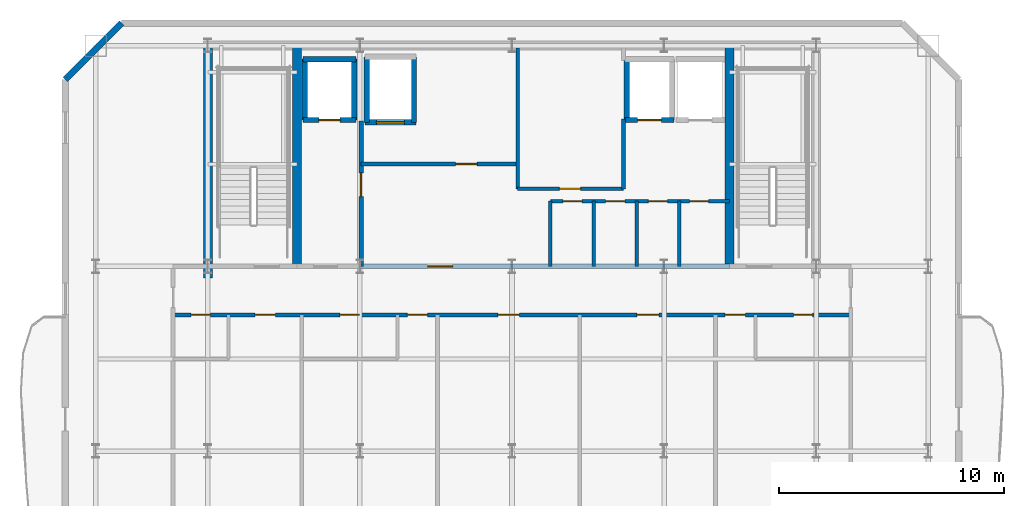
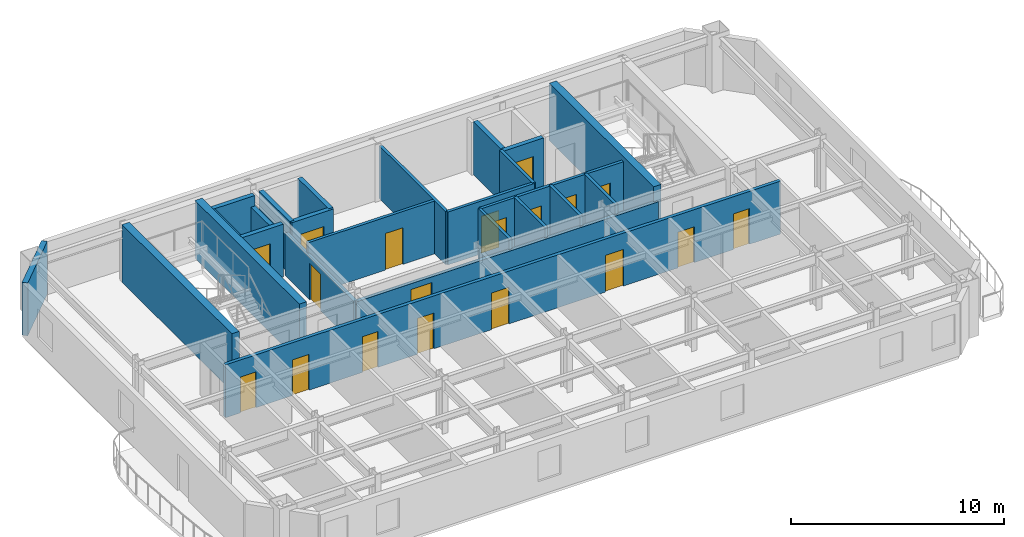
# One storey, part 3 of 6: 25 walls, 19 doors, 19 openings.
"""IFC4 building model written with IfcOpenShell, lengths in metres."""

from ifc_helpers import new_model, si_unit, direction, frame, frame_2d, origin, place, context, subcontext, project, spatial, rectangle, extrude, material, layer, layer_set, type_object, element, fill, save


model = new_model("IFC4")

# Units and contexts
model_context = context("Model", 3, precision=1e-05, world=origin(), true_north=direction((0.0, 1.0)))
body_context = subcontext(model_context, "Body", "Model", "MODEL_VIEW")
ifc_project = project(units=[si_unit("LENGTHUNIT", "METRE"), si_unit("AREAUNIT", "SQUARE_METRE"), si_unit("VOLUMEUNIT", "CUBIC_METRE"), si_unit("PLANEANGLEUNIT", "RADIAN"), si_unit("MASSUNIT", "GRAM", prefix="KILO")], contexts=[model_context])

# Site, building, storey
site_placement = place(None, origin())
site = spatial("IfcSite", under=ifc_project, at=site_placement, CompositionType="ELEMENT")
building_placement = place(site_placement, origin())
building = spatial("IfcBuilding", under=site, at=building_placement, Name="Haevon Station Towers", CompositionType="ELEMENT")
storey_placement = place(building_placement, frame((0.0, 0.0, 242.699951171875)))
storey = spatial("IfcBuildingStorey", under=building, at=storey_placement, Name="L67", CompositionType="ELEMENT", Elevation=242.699951171875)

# Wall, openings, doors
ifc_material_1 = material(Name="Gypsum board on steel stud", Category="steel")
ifc_layer_1 = layer(ifc_material_1, 0.179931640625)
ifc_layer_set_1 = layer_set([ifc_layer_1], Name="Gypsum board on steel stud")
wall_type_1 = type_object("IfcWallType", Name="WL-ACU180", PredefinedType="PARTITIONING", material=ifc_layer_set_1)
wall_1_placement = place(storey_placement, frame((22.4619140625, 36.050048828125, 0.0), z_axis=(0.0, 0.0, 1.0), x_axis=(1.0, 0.0, 0.0)))
wall_1 = element("IfcWall", 1, at=wall_1_placement, inside=storey, type_object=wall_type_1, Name="WL-T1PT-L67-15", PredefinedType="PARTITIONING", context=body_context, shape_type="SweptSolid", body=[
    extrude(rectangle(XDim=30.076171875, YDim=0.179931640625, at=frame_2d((15.0380859375, 0.0))), origin(), (0.0, 0.0, 1.0), 3.030029296875),
])
opening_1_placement = place(wall_1_placement, frame((0.800048828125, 0.0, 0.0)))
opening_1 = element("IfcOpeningElement", 2, at=opening_1_placement, cuts=wall_1, Name="Opening DR-WL-T1PT-L67-15-01", PredefinedType="OPENING", context=body_context, shape_type="SweptSolid", body=[
    extrude(rectangle(XDim=0.85009765625, YDim=2.050048828125, at=frame_2d((0.425048828125, 1.02490234375))), frame((0.0, 0.099853515625, 0.0), z_axis=(0.0, -1.0, 0.0), x_axis=(1.0, 0.0, 0.0)), (0.0, 0.0, 1.0), 0.199951171875),
])
opening_2_placement = place(wall_1_placement, frame((3.632080078125, 0.0, 0.0)))
opening_2 = element("IfcOpeningElement", 3, at=opening_2_placement, cuts=wall_1, Name="Opening DR-WL-T1PT-L67-15-02", PredefinedType="OPENING", context=body_context, shape_type="SweptSolid", body=[
    extrude(rectangle(XDim=0.89990234375, YDim=2.050048828125, at=frame_2d((0.449951171875, 1.02490234375))), frame((0.0, 0.099853515625, 0.0), z_axis=(0.0, -1.0, 0.0), x_axis=(1.0, 0.0, 0.0)), (0.0, 0.0, 1.0), 0.199951171875),
])
opening_3_placement = place(wall_1_placement, frame((7.406982421875, 0.0, 0.0)))
opening_3 = element("IfcOpeningElement", 4, at=opening_3_placement, cuts=wall_1, Name="Opening DR-WL-T1PT-L67-15-03", PredefinedType="OPENING", context=body_context, shape_type="SweptSolid", body=[
    extrude(rectangle(XDim=0.85009765625, YDim=2.050048828125, at=frame_2d((0.425048828125, 1.02490234375))), frame((0.0, 0.099853515625, 0.0), z_axis=(0.0, -1.0, 0.0), x_axis=(1.0, 0.0, 0.0)), (0.0, 0.0, 1.0), 0.199951171875),
])
opening_4_placement = place(wall_1_placement, frame((10.389892578125, 0.0, 0.0)))
opening_4 = element("IfcOpeningElement", 5, at=opening_4_placement, cuts=wall_1, Name="Opening DR-WL-T1PT-L67-15-04", PredefinedType="OPENING", context=body_context, shape_type="SweptSolid", body=[
    extrude(rectangle(XDim=0.89990234375, YDim=2.050048828125, at=frame_2d((0.449951171875, 1.02490234375))), frame((0.0, 0.099853515625, 0.0), z_axis=(0.0, -1.0, 0.0), x_axis=(1.0, 0.0, 0.0)), (0.0, 0.0, 1.0), 0.199951171875),
])
opening_5_placement = place(wall_1_placement, frame((14.4130859375, 0.0, 0.0)))
opening_5 = element("IfcOpeningElement", 6, at=opening_5_placement, cuts=wall_1, Name="Opening DR-WL-T1PT-L67-15-05", PredefinedType="OPENING", context=body_context, shape_type="SweptSolid", body=[
    extrude(rectangle(XDim=0.949951171875, YDim=2.10009765625, at=frame_2d((0.47509765625, 1.050048828125))), frame((0.0, 0.099853515625, 0.0), z_axis=(0.0, -1.0, 0.0), x_axis=(1.0, 0.0, 0.0)), (0.0, 0.0, 1.0), 0.199951171875),
])
opening_6_placement = place(wall_1_placement, frame((20.577880859375, 0.0, 0.0)))
opening_6 = element("IfcOpeningElement", 7, at=opening_6_placement, cuts=wall_1, Name="Opening DR-WL-T1PT-L67-15-06", PredefinedType="OPENING", context=body_context, shape_type="SweptSolid", body=[
    extrude(rectangle(XDim=0.97998046875, YDim=2.10009765625, at=frame_2d((0.489990234375, 1.050048828125))), frame((0.0, 0.099853515625, 0.0), z_axis=(0.0, -1.0, 0.0), x_axis=(1.0, 0.0, 0.0)), (0.0, 0.0, 1.0), 0.199951171875),
])
opening_7_placement = place(wall_1_placement, frame((27.532958984375, 0.0, 0.0)))
opening_7 = element("IfcOpeningElement", 8, at=opening_7_placement, cuts=wall_1, Name="Opening DR-WL-T1PT-L67-15-07", PredefinedType="OPENING", context=body_context, shape_type="SweptSolid", body=[
    extrude(rectangle(XDim=0.85009765625, YDim=2.050048828125, at=frame_2d((0.425048828125, 1.02490234375))), frame((0.0, 0.099853515625, 0.0), z_axis=(0.0, -1.0, 0.0), x_axis=(1.0, 0.0, 0.0)), (0.0, 0.0, 1.0), 0.199951171875),
])
opening_8_placement = place(wall_1_placement, frame((24.5009765625, 0.0, 0.0)))
opening_8 = element("IfcOpeningElement", 9, at=opening_8_placement, cuts=wall_1, Name="Opening DR-WL-T1PT-L67-15-08", PredefinedType="OPENING", context=body_context, shape_type="SweptSolid", body=[
    extrude(rectangle(XDim=0.89990234375, YDim=2.050048828125, at=frame_2d((0.449951171875, 1.02490234375))), frame((0.0, 0.099853515625, 0.0), z_axis=(0.0, -1.0, 0.0), x_axis=(1.0, 0.0, 0.0)), (0.0, 0.0, 1.0), 0.199951171875),
])
ifc_material_2 = material(Name="Engineered oak timber", Category="wood")
door_type_1 = type_object("IfcDoorType", Name="DR-FD30-850", OperationType="NOTDEFINED", PredefinedType="DOOR", material=ifc_material_2)
door_1_placement = place(opening_1_placement, origin())
door_1 = element("IfcDoor", 10, at=door_1_placement, inside=storey, type_object=door_type_1, Name="L67 Tower 1 Room Door 15-1", OperationType="SINGLE_SWING_RIGHT", OverallHeight=2.050048828125, OverallWidth=0.85009765625, PredefinedType="DOOR", context=body_context, shape_type="SweptSolid", body=[
    extrude(rectangle(XDim=0.85009765625, YDim=2.050048828125, at=frame_2d((0.425048828125, 1.02490234375))), frame((0.0, 0.02490234375, 0.0), z_axis=(0.0, -1.0, 0.0), x_axis=(1.0, 0.0, 0.0)), (0.0, 0.0, 1.0), 0.050048828125),
])
fill(opening_1, door_1)
door_2_placement = place(opening_3_placement, origin())
door_2 = element("IfcDoor", 11, at=door_2_placement, inside=storey, type_object=door_type_1, Name="L67 Tower 1 Room Door 15-3", OperationType="SINGLE_SWING_RIGHT", OverallHeight=2.050048828125, OverallWidth=0.85009765625, PredefinedType="DOOR", context=body_context, shape_type="SweptSolid", body=[
    extrude(rectangle(XDim=0.85009765625, YDim=2.050048828125, at=frame_2d((0.425048828125, 1.02490234375))), frame((0.0, 0.02490234375, 0.0), z_axis=(0.0, -1.0, 0.0), x_axis=(1.0, 0.0, 0.0)), (0.0, 0.0, 1.0), 0.050048828125),
])
fill(opening_3, door_2)
door_3_placement = place(opening_7_placement, origin())
door_3 = element("IfcDoor", 12, at=door_3_placement, inside=storey, type_object=door_type_1, Name="L67 Tower 1 Room Door 15-7", OperationType="SINGLE_SWING_RIGHT", OverallHeight=2.050048828125, OverallWidth=0.85009765625, PredefinedType="DOOR", context=body_context, shape_type="SweptSolid", body=[
    extrude(rectangle(XDim=0.85009765625, YDim=2.050048828125, at=frame_2d((0.425048828125, 1.02490234375))), frame((0.0, 0.02490234375, 0.0), z_axis=(0.0, -1.0, 0.0), x_axis=(1.0, 0.0, 0.0)), (0.0, 0.0, 1.0), 0.050048828125),
])
fill(opening_7, door_3)
door_type_2 = type_object("IfcDoorType", Name="DR-FD30-950", OperationType="NOTDEFINED", PredefinedType="DOOR", material=ifc_material_2)
door_4_placement = place(opening_5_placement, origin())
door_4 = element("IfcDoor", 13, at=door_4_placement, inside=storey, type_object=door_type_2, Name="L67 Tower 1 Room Door 15-5", OperationType="SINGLE_SWING_RIGHT", OverallHeight=2.10009765625, OverallWidth=0.949951171875, PredefinedType="DOOR", context=body_context, shape_type="SweptSolid", body=[
    extrude(rectangle(XDim=0.949951171875, YDim=2.10009765625, at=frame_2d((0.47509765625, 1.050048828125))), frame((0.0, 0.02490234375, 0.0), z_axis=(0.0, -1.0, 0.0), x_axis=(1.0, 0.0, 0.0)), (0.0, 0.0, 1.0), 0.050048828125),
])
fill(opening_5, door_4)
door_type_3 = type_object("IfcDoorType", Name="DR-FD30-980", OperationType="NOTDEFINED", PredefinedType="DOOR", material=ifc_material_2)
door_5_placement = place(opening_6_placement, origin())
door_5 = element("IfcDoor", 14, at=door_5_placement, inside=storey, type_object=door_type_3, Name="L67 Tower 1 Room Door 15-6", OperationType="SINGLE_SWING_LEFT", OverallHeight=2.10009765625, OverallWidth=0.97998046875, PredefinedType="DOOR", context=body_context, shape_type="SweptSolid", body=[
    extrude(rectangle(XDim=0.97998046875, YDim=2.10009765625, at=frame_2d((0.489990234375, 1.050048828125))), frame((0.0, 0.02490234375, 0.0), z_axis=(0.0, -1.0, 0.0), x_axis=(1.0, 0.0, 0.0)), (0.0, 0.0, 1.0), 0.050048828125),
])
fill(opening_6, door_5)
door_type_4 = type_object("IfcDoorType", Name="DR-INT-900", OperationType="NOTDEFINED", PredefinedType="DOOR", material=ifc_material_2)
door_6_placement = place(opening_2_placement, origin())
door_6 = element("IfcDoor", 15, at=door_6_placement, inside=storey, type_object=door_type_4, Name="L67 Tower 1 Room Door 15-2", OperationType="SINGLE_SWING_LEFT", OverallHeight=2.050048828125, OverallWidth=0.89990234375, PredefinedType="DOOR", context=body_context, shape_type="SweptSolid", body=[
    extrude(rectangle(XDim=0.89990234375, YDim=2.050048828125, at=frame_2d((0.449951171875, 1.02490234375))), frame((0.0, 0.02490234375, 0.0), z_axis=(0.0, -1.0, 0.0), x_axis=(1.0, 0.0, 0.0)), (0.0, 0.0, 1.0), 0.050048828125),
])
fill(opening_2, door_6)
door_7_placement = place(opening_4_placement, origin())
door_7 = element("IfcDoor", 16, at=door_7_placement, inside=storey, type_object=door_type_4, Name="L67 Tower 1 Room Door 15-4", OperationType="SINGLE_SWING_LEFT", OverallHeight=2.050048828125, OverallWidth=0.89990234375, PredefinedType="DOOR", context=body_context, shape_type="SweptSolid", body=[
    extrude(rectangle(XDim=0.89990234375, YDim=2.050048828125, at=frame_2d((0.449951171875, 1.02490234375))), frame((0.0, 0.02490234375, 0.0), z_axis=(0.0, -1.0, 0.0), x_axis=(1.0, 0.0, 0.0)), (0.0, 0.0, 1.0), 0.050048828125),
])
fill(opening_4, door_7)
door_8_placement = place(opening_8_placement, origin())
door_8 = element("IfcDoor", 17, at=door_8_placement, inside=storey, type_object=door_type_4, Name="L67 Tower 1 Room Door 15-8", OperationType="SINGLE_SWING_LEFT", OverallHeight=2.050048828125, OverallWidth=0.89990234375, PredefinedType="DOOR", context=body_context, shape_type="SweptSolid", body=[
    extrude(rectangle(XDim=0.89990234375, YDim=2.050048828125, at=frame_2d((0.449951171875, 1.02490234375))), frame((0.0, 0.02490234375, 0.0), z_axis=(0.0, -1.0, 0.0), x_axis=(1.0, 0.0, 0.0)), (0.0, 0.0, 1.0), 0.050048828125),
])
fill(opening_8, door_8)

# Wall, opening, door
ifc_layer_2 = layer(ifc_material_1, 0.199951171875)
ifc_layer_set_2 = layer_set([ifc_layer_2], Name="Gypsum board on steel stud")
wall_type_2 = type_object("IfcWallType", Name="WL-COR200", PredefinedType="PARTITIONING", material=ifc_layer_set_2)
wall_2_placement = place(storey_placement, frame((30.800048828125, 38.199951171875, 0.0), z_axis=(0.0, 0.0, 1.0), x_axis=(0.0, 1.0, 0.0)))
wall_2 = element("IfcWall", 18, at=wall_2_placement, inside=storey, type_object=wall_type_2, Name="WL-T1FFL-L67-E", PredefinedType="PARTITIONING", context=body_context, shape_type="SweptSolid", body=[
    extrude(rectangle(XDim=6.449951171875, YDim=0.199951171875, at=frame_2d((3.22509765625, 0.0))), origin(), (0.0, 0.0, 1.0), 2.429931640625),
])
opening_9_placement = place(wall_2_placement, frame((3.10009765625, 0.0, 0.0)))
opening_9 = element("IfcOpeningElement", 19, at=opening_9_placement, cuts=wall_2, Name="Opening DR-T1FFL-L67-E", PredefinedType="OPENING", context=body_context, shape_type="SweptSolid", body=[
    extrude(rectangle(XDim=1.050048828125, YDim=2.10009765625, at=frame_2d((0.52490234375, 1.050048828125))), frame((0.0, 0.10986328125, 0.0), z_axis=(0.0, -1.0, 0.0), x_axis=(1.0, 0.0, 0.0)), (0.0, 0.0, 1.0), 0.219970703125),
])
door_type_5 = type_object("IfcDoorType", Name="DR-FD60-1050", OperationType="NOTDEFINED", PredefinedType="DOOR", material=ifc_material_2)
door_9_placement = place(opening_9_placement, origin())
door_9 = element("IfcDoor", 20, at=door_9_placement, inside=storey, type_object=door_type_5, Name="L67 Tower 1 Firefighting Lift Lobby Door E", OperationType="SINGLE_SWING_RIGHT", OverallHeight=2.10009765625, OverallWidth=1.050048828125, PredefinedType="DOOR", context=body_context, shape_type="SweptSolid", body=[
    extrude(rectangle(XDim=1.050048828125, YDim=2.10009765625, at=frame_2d((0.52490234375, 1.050048828125))), frame((0.0, 0.02490234375, 0.0), z_axis=(0.0, -1.0, 0.0), x_axis=(1.0, 0.0, 0.0)), (0.0, 0.0, 1.0), 0.050048828125),
])
fill(opening_9, door_9)

wall_3_placement = place(storey_placement, frame((30.800048828125, 38.199951171875, 0.0), z_axis=(0.0, 0.0, 1.0), x_axis=(1.0, 0.0, 0.0)))
wall_3 = element("IfcWall", 21, at=wall_3_placement, inside=storey, type_object=wall_type_2, Name="WL-T1CLB-L67", PredefinedType="PARTITIONING", context=body_context, shape_type="SweptSolid", body=[
    extrude(rectangle(XDim=16.349853515625, YDim=0.199951171875, at=frame_2d((8.1748046875, 0.0))), origin(), (0.0, 0.0, 1.0), 2.429931640625),
])
opening_10_placement = place(wall_3_placement, frame((2.949951171875, 0.0, 0.0)))
opening_10 = element("IfcOpeningElement", 22, at=opening_10_placement, cuts=wall_3, Name="Opening DR-T1CLB-L67-1", PredefinedType="OPENING", context=body_context, shape_type="SweptSolid", body=[
    extrude(rectangle(XDim=1.1201171875, YDim=2.10009765625, at=frame_2d((0.56005859375, 1.050048828125))), frame((0.0, 0.10986328125, 0.0), z_axis=(0.0, -1.0, 0.0), x_axis=(1.0, 0.0, 0.0)), (0.0, 0.0, 1.0), 0.219970703125),
])
door_type_6 = type_object("IfcDoorType", Name="DR-ST-1120", OperationType="NOTDEFINED", PredefinedType="DOOR", material=ifc_material_2)
door_10_placement = place(opening_10_placement, origin())
door_10 = element("IfcDoor", 23, at=door_10_placement, inside=storey, type_object=door_type_6, Name="L67 Tower 1 Core Lift Lobby Door 1", OperationType="SINGLE_SWING_RIGHT", OverallHeight=2.10009765625, OverallWidth=1.1201171875, PredefinedType="DOOR", context=body_context, shape_type="SweptSolid", body=[
    extrude(rectangle(XDim=1.1201171875, YDim=2.10009765625, at=frame_2d((0.56005859375, 1.050048828125))), frame((0.0, 0.02490234375, 0.0), z_axis=(0.0, -1.0, 0.0), x_axis=(1.0, 0.0, 0.0)), (0.0, 0.0, 1.0), 0.050048828125),
])
fill(opening_10, door_10)

# Walls
ifc_material_3 = material(Name="Concrete C60/75", Category="concrete")
ifc_layer_3 = layer(ifc_material_3, 0.39990234375)
ifc_layer_set_3 = layer_set([ifc_layer_3], Name="Concrete C60/75")
wall_type_3 = type_object("IfcWallType", Name="WL-CR400", PredefinedType="SHEAR", material=ifc_layer_set_3)
wall_4_placement = place(storey_placement, frame((24.0, 37.679931640625, 0.0), z_axis=(0.0, 0.0, 1.0), x_axis=(0.0, 1.0, 0.0)))
element("IfcWall", 24, at=wall_4_placement, inside=storey, type_object=wall_type_3, Name="WL-T1CR-L67-W", PredefinedType="SHEAR", context=body_context, shape_type="SweptSolid", body=[
    extrude(rectangle(XDim=10.320068359375, YDim=0.39990234375, at=frame_2d((5.16015625, 0.0))), origin(), (0.0, 0.0, 1.0), 3.300048828125),
])
for number, where, z_axis, x_axis, name in (
    (25, (27.949951171875, 38.199951171875, 0.0), (0.0, 0.0, 1.0), (0.0, 1.0, 0.0), "WL-T1CR-L67-M1"),
    (26, (47.14990234375, 38.199951171875, 0.0), (0.0, 0.0, 1.0), (0.0, 1.0, 0.0), "WL-T1CR-L67-M2"),
):
    element("IfcWall", number, at=place(storey_placement, frame(where, z_axis=z_axis, x_axis=x_axis)), inside=storey, type_object=wall_type_3, Name=name, PredefinedType="SHEAR", context=body_context, shape_type="SweptSolid", body=[
        extrude(rectangle(XDim=9.800048828125, YDim=0.39990234375, at=frame_2d((4.89990234375, 0.0))), origin(), (0.0, 0.0, 1.0), 3.300048828125),
    ])
ifc_material_4 = material(Name="Precast concrete C45/55", Category="concrete")
ifc_layer_4 = layer(ifc_material_4, 0.280029296875)
ifc_layer_set_4 = layer_set([ifc_layer_4], Name="Precast concrete C45/55")
wall_type_4 = type_object("IfcWallType", Name="WL-EXT-PIER280", PredefinedType="SOLIDWALL", material=ifc_layer_set_4)
wall_5_placement = place(storey_placement, frame((17.675048828125, 46.5, 0.0), z_axis=(0.0, 0.0, 1.0), x_axis=(0.707106781187, 0.707106781187, 0.0)))
element("IfcWall", 27, at=wall_5_placement, inside=storey, type_object=wall_type_4, Name="WL-T1-L67-NWC", PredefinedType="SOLIDWALL", context=body_context, shape_type="SweptSolid", body=[
    extrude(rectangle(XDim=3.53564453125, YDim=0.280029296875, at=frame_2d((1.767822265625, 0.0))), origin(), (0.0, 0.0, 1.0), 3.030029296875),
])

# Wall, opening, door
ifc_layer_5 = layer(ifc_material_1, 0.159912109375)
ifc_layer_set_5 = layer_set([ifc_layer_5], Name="Gypsum board on steel stud")
wall_type_5 = type_object("IfcWallType", Name="WL-PRT160", PredefinedType="PARTITIONING", material=ifc_layer_set_5)
wall_6_placement = place(storey_placement, frame((30.800048828125, 42.75, 0.0), z_axis=(0.0, 0.0, 1.0), x_axis=(1.0, 0.0, 0.0)))
wall_6 = element("IfcWall", 28, at=wall_6_placement, inside=storey, type_object=wall_type_5, Name="WL-T1CW-L67-01", PredefinedType="PARTITIONING", context=body_context, shape_type="SweptSolid", body=[
    extrude(rectangle(XDim=6.949951171875, YDim=0.159912109375, at=frame_2d((3.47509765625, 0.0))), origin(), (0.0, 0.0, 1.0), 3.030029296875),
])
opening_11_placement = place(wall_6_placement, frame((4.199951171875, 0.0, 0.0)))
opening_11 = element("IfcOpeningElement", 29, at=opening_11_placement, cuts=wall_6, Name="Opening DR-WL-T1CW-L67-01-1", PredefinedType="OPENING", context=body_context, shape_type="SweptSolid", body=[
    extrude(rectangle(XDim=0.949951171875, YDim=2.10009765625, at=frame_2d((0.47509765625, 1.050048828125))), frame((0.0, 0.08984375, 0.0), z_axis=(0.0, -1.0, 0.0), x_axis=(1.0, 0.0, 0.0)), (0.0, 0.0, 1.0), 0.179931640625),
])
door_type_7 = type_object("IfcDoorType", Name="DR-FD60-950", OperationType="NOTDEFINED", PredefinedType="DOOR", material=ifc_material_2)
door_11_placement = place(opening_11_placement, origin())
door_11 = element("IfcDoor", 30, at=door_11_placement, inside=storey, type_object=door_type_7, Name="L67 Tower 1 Core Room Door 1-1", OperationType="SINGLE_SWING_RIGHT", OverallHeight=2.10009765625, OverallWidth=0.949951171875, PredefinedType="DOOR", context=body_context, shape_type="SweptSolid", body=[
    extrude(rectangle(XDim=0.949951171875, YDim=2.10009765625, at=frame_2d((0.47509765625, 1.050048828125))), frame((0.0, 0.02490234375, 0.0), z_axis=(0.0, -1.0, 0.0), x_axis=(1.0, 0.0, 0.0)), (0.0, 0.0, 1.0), 0.050048828125),
])
fill(opening_11, door_11)

# Wall
wall_7_placement = place(storey_placement, frame((37.75, 41.64990234375, 0.0), z_axis=(0.0, 0.0, 1.0), x_axis=(0.0, 1.0, 0.0)))
element("IfcWall", 31, at=wall_7_placement, inside=storey, type_object=wall_type_5, Name="WL-T1CW-L67-02", PredefinedType="PARTITIONING", context=body_context, shape_type="SweptSolid", body=[
    extrude(rectangle(XDim=6.25, YDim=0.159912109375, at=frame_2d((3.125, 0.0))), origin(), (0.0, 0.0, 1.0), 3.030029296875),
])

# Wall, opening, door
wall_8_placement = place(storey_placement, frame((37.75, 41.64990234375, 0.0), z_axis=(0.0, 0.0, 1.0), x_axis=(1.0, 0.0, 0.0)))
wall_8 = element("IfcWall", 32, at=wall_8_placement, inside=storey, type_object=wall_type_5, Name="WL-T1CW-L67-03", PredefinedType="PARTITIONING", context=body_context, shape_type="SweptSolid", body=[
    extrude(rectangle(XDim=4.699951171875, YDim=0.159912109375, at=frame_2d((2.35009765625, 0.0))), origin(), (0.0, 0.0, 1.0), 3.030029296875),
])
opening_12_placement = place(wall_8_placement, frame((1.85009765625, 0.0, 0.0)))
opening_12 = element("IfcOpeningElement", 33, at=opening_12_placement, cuts=wall_8, Name="Opening DR-WL-T1CW-L67-03-1", PredefinedType="OPENING", context=body_context, shape_type="SweptSolid", body=[
    extrude(rectangle(XDim=0.949951171875, YDim=2.10009765625, at=frame_2d((0.47509765625, 1.050048828125))), frame((0.0, 0.08984375, 0.0), z_axis=(0.0, -1.0, 0.0), x_axis=(1.0, 0.0, 0.0)), (0.0, 0.0, 1.0), 0.179931640625),
])
door_12_placement = place(opening_12_placement, origin())
door_12 = element("IfcDoor", 34, at=door_12_placement, inside=storey, type_object=door_type_7, Name="L67 Tower 1 Core Room Door 3-1", OperationType="SINGLE_SWING_LEFT", OverallHeight=2.10009765625, OverallWidth=0.949951171875, PredefinedType="DOOR", context=body_context, shape_type="SweptSolid", body=[
    extrude(rectangle(XDim=0.949951171875, YDim=2.10009765625, at=frame_2d((0.47509765625, 1.050048828125))), frame((0.0, 0.02490234375, 0.0), z_axis=(0.0, -1.0, 0.0), x_axis=(1.0, 0.0, 0.0)), (0.0, 0.0, 1.0), 0.050048828125),
])
fill(opening_12, door_12)

# Walls
wall_9_placement = place(storey_placement, frame((42.449951171875, 41.64990234375, 0.0), z_axis=(0.0, 0.0, 1.0), x_axis=(0.0, 1.0, 0.0)))
element("IfcWall", 35, at=wall_9_placement, inside=storey, type_object=wall_type_5, Name="WL-T1CW-L67-04", PredefinedType="PARTITIONING", context=body_context, shape_type="SweptSolid", body=[
    extrude(rectangle(XDim=3.10009765625, YDim=0.159912109375, at=frame_2d((1.550048828125, 0.0))), origin(), (0.0, 0.0, 1.0), 3.030029296875),
])
for number, where, z_axis, x_axis, name in (
    (36, (39.199951171875, 38.199951171875, 0.0), (0.0, 0.0, 1.0), (0.0, 1.0, 0.0), "WL-T1CW-L67-06"),
    (37, (41.1298828125, 38.199951171875, 0.0), (0.0, 0.0, 1.0), (0.0, 1.0, 0.0), "WL-T1CW-L67-07"),
    (38, (43.030029296875, 38.199951171875, 0.0), (0.0, 0.0, 1.0), (0.0, 1.0, 0.0), "WL-T1CW-L67-08"),
    (39, (44.929931640625, 38.199951171875, 0.0), (0.0, 0.0, 1.0), (0.0, 1.0, 0.0), "WL-T1CW-L67-09"),
):
    element("IfcWall", number, at=place(storey_placement, frame(where, z_axis=z_axis, x_axis=x_axis)), inside=storey, type_object=wall_type_5, Name=name, PredefinedType="PARTITIONING", context=body_context, shape_type="SweptSolid", body=[
        extrude(rectangle(XDim=2.900146484375, YDim=0.159912109375, at=frame_2d((1.4501953125, 0.0))), origin(), (0.0, 0.0, 1.0), 3.030029296875),
    ])

# Wall, openings, doors
wall_10_placement = place(storey_placement, frame((39.199951171875, 41.10009765625, 0.0), z_axis=(0.0, 0.0, 1.0), x_axis=(1.0, 0.0, 0.0)))
wall_10 = element("IfcWall", 40, at=wall_10_placement, inside=storey, type_object=wall_type_5, Name="WL-T1CW-L67-10", PredefinedType="PARTITIONING", context=body_context, shape_type="SweptSolid", body=[
    extrude(rectangle(XDim=7.949951171875, YDim=0.159912109375, at=frame_2d((3.97509765625, 0.0))), origin(), (0.0, 0.0, 1.0), 3.030029296875),
])
opening_13_placement = place(wall_10_placement, frame((0.56005859375, 0.0, 0.0)))
opening_13 = element("IfcOpeningElement", 41, at=opening_13_placement, cuts=wall_10, Name="Opening DR-WL-T1CW-L67-10-1", PredefinedType="OPENING", context=body_context, shape_type="SweptSolid", body=[
    extrude(rectangle(XDim=0.85009765625, YDim=2.050048828125, at=frame_2d((0.425048828125, 1.02490234375))), frame((0.0, 0.08984375, 0.0), z_axis=(0.0, -1.0, 0.0), x_axis=(1.0, 0.0, 0.0)), (0.0, 0.0, 1.0), 0.179931640625),
])
opening_14_placement = place(wall_10_placement, frame((2.455078125, 0.0, 0.0)))
opening_14 = element("IfcOpeningElement", 42, at=opening_14_placement, cuts=wall_10, Name="Opening DR-WL-T1CW-L67-10-2", PredefinedType="OPENING", context=body_context, shape_type="SweptSolid", body=[
    extrude(rectangle(XDim=0.85009765625, YDim=2.050048828125, at=frame_2d((0.425048828125, 1.02490234375))), frame((0.0, 0.08984375, 0.0), z_axis=(0.0, -1.0, 0.0), x_axis=(1.0, 0.0, 0.0)), (0.0, 0.0, 1.0), 0.179931640625),
])
opening_15_placement = place(wall_10_placement, frame((4.35498046875, 0.0, 0.0)))
opening_15 = element("IfcOpeningElement", 43, at=opening_15_placement, cuts=wall_10, Name="Opening DR-WL-T1CW-L67-10-3", PredefinedType="OPENING", context=body_context, shape_type="SweptSolid", body=[
    extrude(rectangle(XDim=0.85009765625, YDim=2.050048828125, at=frame_2d((0.425048828125, 1.02490234375))), frame((0.0, 0.08984375, 0.0), z_axis=(0.0, -1.0, 0.0), x_axis=(1.0, 0.0, 0.0)), (0.0, 0.0, 1.0), 0.179931640625),
])
opening_16_placement = place(wall_10_placement, frame((6.179931640625, 0.0, 0.0)))
opening_16 = element("IfcOpeningElement", 44, at=opening_16_placement, cuts=wall_10, Name="Opening DR-WL-T1CW-L67-10-4", PredefinedType="OPENING", context=body_context, shape_type="SweptSolid", body=[
    extrude(rectangle(XDim=0.85009765625, YDim=2.050048828125, at=frame_2d((0.425048828125, 1.02490234375))), frame((0.0, 0.08984375, 0.0), z_axis=(0.0, -1.0, 0.0), x_axis=(1.0, 0.0, 0.0)), (0.0, 0.0, 1.0), 0.179931640625),
])
door_13_placement = place(opening_13_placement, origin())
door_13 = element("IfcDoor", 45, at=door_13_placement, inside=storey, type_object=door_type_1, Name="L67 Tower 1 Core Room Door 10-1", OperationType="SINGLE_SWING_RIGHT", OverallHeight=2.050048828125, OverallWidth=0.85009765625, PredefinedType="DOOR", context=body_context, shape_type="SweptSolid", body=[
    extrude(rectangle(XDim=0.85009765625, YDim=2.050048828125, at=frame_2d((0.425048828125, 1.02490234375))), frame((0.0, 0.02490234375, 0.0), z_axis=(0.0, -1.0, 0.0), x_axis=(1.0, 0.0, 0.0)), (0.0, 0.0, 1.0), 0.050048828125),
])
fill(opening_13, door_13)
door_14_placement = place(opening_14_placement, origin())
door_14 = element("IfcDoor", 46, at=door_14_placement, inside=storey, type_object=door_type_1, Name="L67 Tower 1 Core Room Door 10-2", OperationType="SINGLE_SWING_LEFT", OverallHeight=2.050048828125, OverallWidth=0.85009765625, PredefinedType="DOOR", context=body_context, shape_type="SweptSolid", body=[
    extrude(rectangle(XDim=0.85009765625, YDim=2.050048828125, at=frame_2d((0.425048828125, 1.02490234375))), frame((0.0, 0.02490234375, 0.0), z_axis=(0.0, -1.0, 0.0), x_axis=(1.0, 0.0, 0.0)), (0.0, 0.0, 1.0), 0.050048828125),
])
fill(opening_14, door_14)
door_15_placement = place(opening_15_placement, origin())
door_15 = element("IfcDoor", 47, at=door_15_placement, inside=storey, type_object=door_type_1, Name="L67 Tower 1 Core Room Door 10-3", OperationType="SINGLE_SWING_RIGHT", OverallHeight=2.050048828125, OverallWidth=0.85009765625, PredefinedType="DOOR", context=body_context, shape_type="SweptSolid", body=[
    extrude(rectangle(XDim=0.85009765625, YDim=2.050048828125, at=frame_2d((0.425048828125, 1.02490234375))), frame((0.0, 0.02490234375, 0.0), z_axis=(0.0, -1.0, 0.0), x_axis=(1.0, 0.0, 0.0)), (0.0, 0.0, 1.0), 0.050048828125),
])
fill(opening_15, door_15)
door_16_placement = place(opening_16_placement, origin())
door_16 = element("IfcDoor", 48, at=door_16_placement, inside=storey, type_object=door_type_1, Name="L67 Tower 1 Core Room Door 10-4", OperationType="SINGLE_SWING_LEFT", OverallHeight=2.050048828125, OverallWidth=0.85009765625, PredefinedType="DOOR", context=body_context, shape_type="SweptSolid", body=[
    extrude(rectangle(XDim=0.85009765625, YDim=2.050048828125, at=frame_2d((0.425048828125, 1.02490234375))), frame((0.0, 0.02490234375, 0.0), z_axis=(0.0, -1.0, 0.0), x_axis=(1.0, 0.0, 0.0)), (0.0, 0.0, 1.0), 0.050048828125),
])
fill(opening_16, door_16)

# Wall, opening, door
ifc_material_5 = material(Name="Concrete C40/50", Category="concrete")
ifc_layer_6 = layer(ifc_material_5, 0.239990234375)
ifc_layer_set_6 = layer_set([ifc_layer_6], Name="Concrete C40/50")
wall_type_6 = type_object("IfcWallType", Name="WL-SHF240", PredefinedType="PARTITIONING", material=ifc_layer_set_6)
wall_11_placement = place(storey_placement, frame((28.219970703125, 44.699951171875, 0.0), z_axis=(0.0, 0.0, 1.0), x_axis=(1.0, 0.0, 0.0)))
wall_11 = element("IfcWall", 49, at=wall_11_placement, inside=storey, type_object=wall_type_6, Name="WL-SHF-FL1-L67", PredefinedType="PARTITIONING", context=body_context, shape_type="SweptSolid", body=[
    extrude(rectangle(XDim=2.360107421875, YDim=0.239990234375, at=frame_2d((1.18017578125, 0.0))), origin(), (0.0, 0.0, 1.0), 3.030029296875),
])
opening_17_placement = place(wall_11_placement, frame((0.705078125, 0.0, 0.0)))
opening_17 = element("IfcOpeningElement", 50, at=opening_17_placement, cuts=wall_11, Name="Opening LD-FL1-L67", PredefinedType="OPENING", context=body_context, shape_type="SweptSolid", body=[
    extrude(rectangle(XDim=0.949951171875, YDim=2.14990234375, at=frame_2d((0.47509765625, 1.074951171875))), frame((0.0, 0.1298828125, 0.0), z_axis=(0.0, -1.0, 0.0), x_axis=(1.0, 0.0, 0.0)), (0.0, 0.0, 1.0), 0.260009765625),
])
ifc_material_6 = material(Name="Stainless steel and rated core", Category="steel")
door_type_8 = type_object("IfcDoorType", Name="LD-FL950", OperationType="SLIDING_TO_LEFT", PredefinedType="DOOR", material=ifc_material_6)
door_17_placement = place(opening_17_placement, origin())
door_17 = element("IfcDoor", 51, at=door_17_placement, inside=storey, type_object=door_type_8, Name="L67 Lift FL1 Sliding Landing Door", OperationType="SLIDING_TO_LEFT", OverallHeight=2.14990234375, OverallWidth=0.949951171875, PredefinedType="DOOR", context=body_context, shape_type="SweptSolid", body=[
    extrude(rectangle(XDim=0.949951171875, YDim=2.14990234375, at=frame_2d((0.47509765625, 1.074951171875))), frame((0.0, 0.02490234375, 0.0), z_axis=(0.0, -1.0, 0.0), x_axis=(1.0, 0.0, 0.0)), (0.0, 0.0, 1.0), 0.050048828125),
])
fill(opening_17, door_17)

# Walls
wall_12_placement = place(storey_placement, frame((28.219970703125, 47.39990234375, 0.0), z_axis=(0.0, 0.0, 1.0), x_axis=(1.0, 0.0, 0.0)))
element("IfcWall", 52, at=wall_12_placement, inside=storey, type_object=wall_type_6, Name="WL-SHF-FL1-L67-N", PredefinedType="PARTITIONING", context=body_context, shape_type="SweptSolid", body=[
    extrude(rectangle(XDim=2.360107421875, YDim=0.239990234375, at=frame_2d((1.18017578125, 0.0))), origin(), (0.0, 0.0, 1.0), 3.030029296875),
])
wall_13_placement = place(storey_placement, frame((28.300048828125, 44.699951171875, 0.0), z_axis=(0.0, 0.0, 1.0), x_axis=(0.0, 1.0, 0.0)))
element("IfcWall", 53, at=wall_13_placement, inside=storey, type_object=wall_type_6, Name="WL-SHF-FL1-L67-W", PredefinedType="PARTITIONING", context=body_context, shape_type="SweptSolid", body=[
    extrude(rectangle(XDim=2.699951171875, YDim=0.239990234375, at=frame_2d((1.35009765625, 0.0))), origin(), (0.0, 0.0, 1.0), 3.030029296875),
])
wall_14_placement = place(storey_placement, frame((30.5, 44.699951171875, 0.0), z_axis=(0.0, 0.0, 1.0), x_axis=(0.0, 1.0, 0.0)))
element("IfcWall", 54, at=wall_14_placement, inside=storey, type_object=wall_type_6, Name="WL-SHF-FL1-L67-E", PredefinedType="PARTITIONING", context=body_context, shape_type="SweptSolid", body=[
    extrude(rectangle(XDim=2.699951171875, YDim=0.239990234375, at=frame_2d((1.35009765625, 0.0))), origin(), (0.0, 0.0, 1.0), 2.429931640625),
])

# Wall, opening, door
wall_15_placement = place(storey_placement, frame((30.969970703125, 44.60009765625, 0.0), z_axis=(0.0, 0.0, 1.0), x_axis=(1.0, 0.0, 0.0)))
wall_15 = element("IfcWall", 55, at=wall_15_placement, inside=storey, type_object=wall_type_6, Name="WL-SHF-SL1-L67", PredefinedType="PARTITIONING", context=body_context, shape_type="SweptSolid", body=[
    extrude(rectangle(XDim=2.260009765625, YDim=0.239990234375, at=frame_2d((1.1298828125, 0.0))), origin(), (0.0, 0.0, 1.0), 3.030029296875),
])
opening_18_placement = place(wall_15_placement, frame((0.5048828125, 0.0, 0.0)))
opening_18 = element("IfcOpeningElement", 56, at=opening_18_placement, cuts=wall_15, Name="Opening LD-SL1-L67", PredefinedType="OPENING", context=body_context, shape_type="SweptSolid", body=[
    extrude(rectangle(XDim=1.25, YDim=2.199951171875, at=frame_2d((0.625, 1.10009765625))), frame((0.0, 0.1298828125, 0.0), z_axis=(0.0, -1.0, 0.0), x_axis=(1.0, 0.0, 0.0)), (0.0, 0.0, 1.0), 0.260009765625),
])
door_type_9 = type_object("IfcDoorType", Name="LD-SL1250", OperationType="SLIDING_TO_LEFT", PredefinedType="DOOR", material=ifc_material_6)
door_18_placement = place(opening_18_placement, origin())
door_18 = element("IfcDoor", 57, at=door_18_placement, inside=storey, type_object=door_type_9, Name="L67 Lift SL1 Sliding Landing Door", OperationType="SLIDING_TO_LEFT", OverallHeight=2.199951171875, OverallWidth=1.25, PredefinedType="DOOR", context=body_context, shape_type="SweptSolid", body=[
    extrude(rectangle(XDim=1.25, YDim=2.199951171875, at=frame_2d((0.625, 1.10009765625))), frame((0.0, 0.02490234375, 0.0), z_axis=(0.0, -1.0, 0.0), x_axis=(1.0, 0.0, 0.0)), (0.0, 0.0, 1.0), 0.050048828125),
])
fill(opening_18, door_18)

# Walls
for number, where, z_axis, x_axis, name in (
    (58, (31.050048828125, 44.60009765625, 0.0), (0.0, 0.0, 1.0), (0.0, 1.0, 0.0), "WL-SHF-SL1-L67-W"),
    (59, (33.14990234375, 44.60009765625, 0.0), (0.0, 0.0, 1.0), (0.0, 1.0, 0.0), "WL-SHF-SL1-L67-E"),
):
    element("IfcWall", number, at=place(storey_placement, frame(where, z_axis=z_axis, x_axis=x_axis)), inside=storey, type_object=wall_type_6, Name=name, PredefinedType="PARTITIONING", context=body_context, shape_type="SweptSolid", body=[
        extrude(rectangle(XDim=2.89990234375, YDim=0.239990234375, at=frame_2d((1.449951171875, 0.0))), origin(), (0.0, 0.0, 1.0), 3.030029296875),
    ])

# Wall, opening, door
wall_16_placement = place(storey_placement, frame((42.52001953125, 44.699951171875, 0.0), z_axis=(0.0, 0.0, 1.0), x_axis=(1.0, 0.0, 0.0)))
wall_16 = element("IfcWall", 60, at=wall_16_placement, inside=storey, type_object=wall_type_6, Name="WL-SHF-PL5-L67", PredefinedType="PARTITIONING", context=body_context, shape_type="SweptSolid", body=[
    extrude(rectangle(XDim=2.159912109375, YDim=0.239990234375, at=frame_2d((1.080078125, 0.0))), origin(), (0.0, 0.0, 1.0), 3.030029296875),
])
opening_19_placement = place(wall_16_placement, frame((0.554931640625, 0.0, 0.0)))
opening_19 = element("IfcOpeningElement", 61, at=opening_19_placement, cuts=wall_16, Name="Opening LD-PL5-L67", PredefinedType="OPENING", context=body_context, shape_type="SweptSolid", body=[
    extrude(rectangle(XDim=1.050048828125, YDim=2.14990234375, at=frame_2d((0.52490234375, 1.074951171875))), frame((0.0, 0.1298828125, 0.0), z_axis=(0.0, -1.0, 0.0), x_axis=(1.0, 0.0, 0.0)), (0.0, 0.0, 1.0), 0.260009765625),
])
door_type_10 = type_object("IfcDoorType", Name="LD-PL1050", OperationType="SLIDING_TO_LEFT", PredefinedType="DOOR", material=ifc_material_6)
door_19_placement = place(opening_19_placement, origin())
door_19 = element("IfcDoor", 62, at=door_19_placement, inside=storey, type_object=door_type_10, Name="L67 Lift PL5 Sliding Landing Door", OperationType="SLIDING_TO_LEFT", OverallHeight=2.14990234375, OverallWidth=1.050048828125, PredefinedType="DOOR", context=body_context, shape_type="SweptSolid", body=[
    extrude(rectangle(XDim=1.050048828125, YDim=2.14990234375, at=frame_2d((0.52490234375, 1.074951171875))), frame((0.0, 0.02490234375, 0.0), z_axis=(0.0, -1.0, 0.0), x_axis=(1.0, 0.0, 0.0)), (0.0, 0.0, 1.0), 0.050048828125),
])
fill(opening_19, door_19)

# Wall
wall_17_placement = place(storey_placement, frame((42.60009765625, 44.699951171875, 0.0), z_axis=(0.0, 0.0, 1.0), x_axis=(0.0, 1.0, 0.0)))
element("IfcWall", 63, at=wall_17_placement, inside=storey, type_object=wall_type_6, Name="WL-SHF-PL5-L67-W", PredefinedType="PARTITIONING", context=body_context, shape_type="SweptSolid", body=[
    extrude(rectangle(XDim=2.699951171875, YDim=0.239990234375, at=frame_2d((1.35009765625, 0.0))), origin(), (0.0, 0.0, 1.0), 3.030029296875),
])

save(model, "model.ifc")
